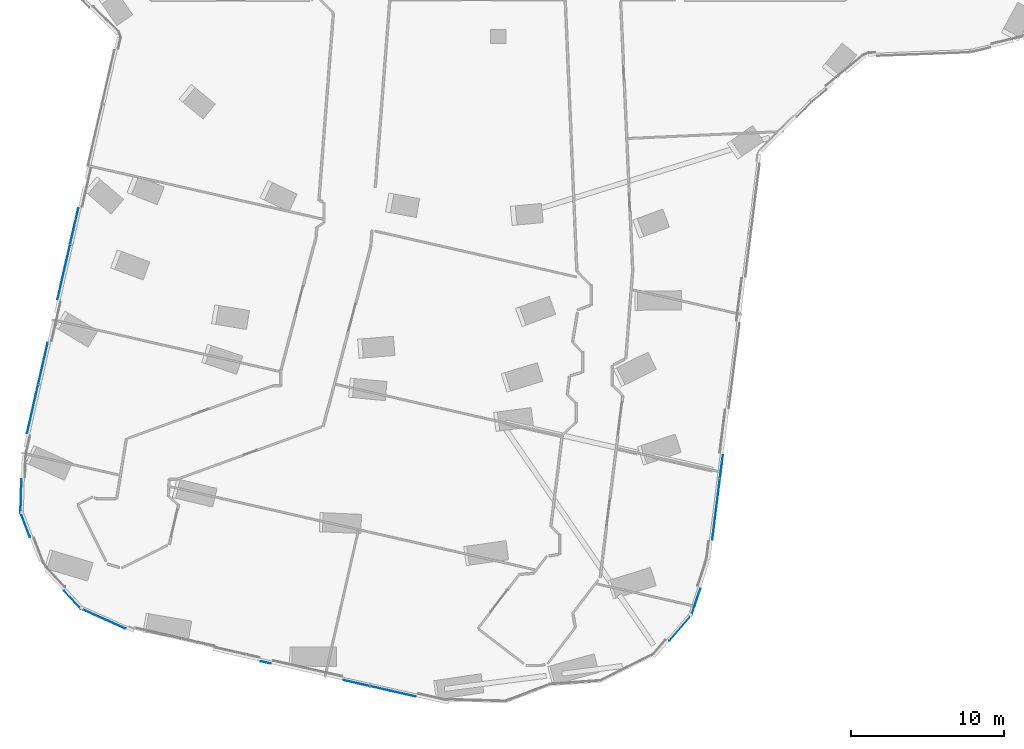
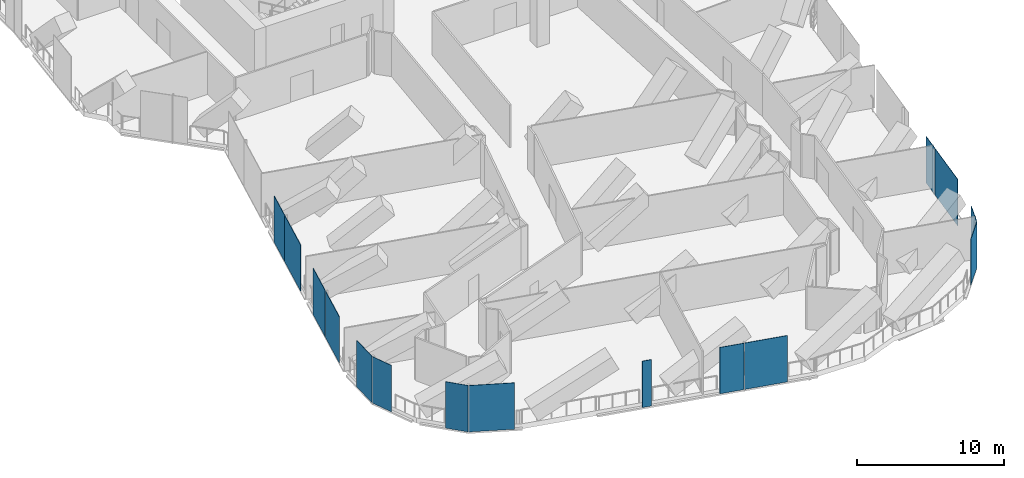
# One storey, part 14 of 29: 15 plates, 9 elements without a shape of their own.
"""IFC4 building model written with IfcOpenShell, lengths in metres."""

from ifc_helpers import new_model, si_unit, direction, frame, origin, origin_2d, place, context, subcontext, project, spatial, rectangle, extrude, material, layer, layer_set, type_object, element, aggregate, save


model = new_model("IFC4")

# Units and contexts
model_context = context("Model", 3, precision=1e-05, world=origin(), true_north=direction((0.0, 1.0)))
body_context = subcontext(model_context, "Body", "Model", "MODEL_VIEW")
ifc_project = project(units=[si_unit("LENGTHUNIT", "METRE"), si_unit("AREAUNIT", "SQUARE_METRE"), si_unit("VOLUMEUNIT", "CUBIC_METRE"), si_unit("PLANEANGLEUNIT", "RADIAN"), si_unit("MASSUNIT", "GRAM", prefix="KILO")], contexts=[model_context])

# Site, building, storey
site_placement = place(None, origin())
site = spatial("IfcSite", under=ifc_project, at=site_placement, CompositionType="ELEMENT")
building_placement = place(site_placement, origin())
building = spatial("IfcBuilding", under=site, at=building_placement, Name="Orlundy Tower", CompositionType="ELEMENT")
storey_placement = place(building_placement, frame((0.0, 0.0, 184.60009765625)))
storey = spatial("IfcBuildingStorey", under=building, at=storey_placement, Name="L48", CompositionType="ELEMENT", Elevation=184.60009765625)

# Curtain wall, plate
ifc_material_1 = material(Name="Aluminium bronze anodised", Category="aluminium")
curtain_wall_type = type_object("IfcCurtainWallType", Name="CW5 wall", PredefinedType="NOTDEFINED", material=ifc_material_1)
curtain_wall_1_placement = place(storey_placement, origin())
curtain_wall_1 = element("IfcCurtainWall", 1, at=curtain_wall_1_placement, inside=storey, type_object=curtain_wall_type, Name="CW5 run 032", PredefinedType="NOTDEFINED")
ifc_material_2 = material(Name="Tinted glass", Category="glass")
ifc_layer_1 = layer(ifc_material_2, 0.031982421875)
ifc_layer_set_1 = layer_set([ifc_layer_1], Name="CW5 glass panel 32")
plate_type_1 = type_object("IfcPlateType", Name="CW5 glass panel 32", PredefinedType="CURTAIN_PANEL", material=ifc_layer_set_1)
plate_1_placement = place(storey_placement, frame((14.554443359375, -46.03466796875, -0.2802734375), z_axis=(0.0, 0.0, 1.0), x_axis=(-0.124742379758, -0.992189164773, 0.0)))
plate_1 = element("IfcPlate", 2, at=plate_1_placement, type_object=plate_type_1, Name="CW5 panel", PredefinedType="CURTAIN_PANEL", context=body_context, shape_type="SweptSolid", body=[
    extrude(rectangle(XDim=1.517333984375, YDim=0.031982421875, at=origin_2d()), origin(), (0.0, 0.0, 1.0), 3.860107421875),
])

curtain_wall_2_placement = place(storey_placement, origin())
curtain_wall_2 = element("IfcCurtainWall", 3, at=curtain_wall_2_placement, inside=storey, type_object=curtain_wall_type, Name="CW5 run 033", PredefinedType="NOTDEFINED")
plate_2_placement = place(storey_placement, frame((12.88623046875, -54.848388671875, -0.2802734375), z_axis=(0.0, 0.0, 1.0), x_axis=(-0.315904020179, -0.948791151958, 0.0)))
plate_2 = element("IfcPlate", 4, at=plate_2_placement, type_object=plate_type_1, Name="CW5 panel", PredefinedType="CURTAIN_PANEL", context=body_context, shape_type="SweptSolid", body=[
    extrude(rectangle(XDim=1.82470703125, YDim=0.031982421875, at=origin_2d()), origin(), (0.0, 0.0, 1.0), 3.860107421875),
])
aggregate(curtain_wall_2, [plate_2])

curtain_wall_3_placement = place(storey_placement, origin())
curtain_wall_3 = element("IfcCurtainWall", 5, at=curtain_wall_3_placement, inside=storey, type_object=curtain_wall_type, Name="CW5 run 034", PredefinedType="NOTDEFINED")
plate_3_placement = place(storey_placement, frame((11.879638671875, -56.54248046875, -0.2802734375), z_axis=(0.0, 0.0, 1.0), x_axis=(-0.655002428568, -0.755626772005, 0.0)))
plate_3 = element("IfcPlate", 6, at=plate_3_placement, type_object=plate_type_1, Name="CW5 panel", PredefinedType="CURTAIN_PANEL", context=body_context, shape_type="SweptSolid", body=[
    extrude(rectangle(XDim=2.193359375, YDim=0.031982421875, at=origin_2d()), origin(), (0.0, 0.0, 1.0), 3.860107421875),
])
aggregate(curtain_wall_3, [plate_3])

# Curtain wall, plates
curtain_wall_4_placement = place(storey_placement, origin())
curtain_wall_4 = element("IfcCurtainWall", 7, at=curtain_wall_4_placement, inside=storey, type_object=curtain_wall_type, Name="CW5 run 039", PredefinedType="NOTDEFINED")
plate_4_placement = place(storey_placement, frame((-6.852294921875, -60.677734375, -0.2802734375), z_axis=(0.0, 0.0, 1.0), x_axis=(-0.975026093537, 0.222090335048, 0.0)))
plate_4 = element("IfcPlate", 8, at=plate_4_placement, type_object=plate_type_1, Name="CW5 panel", PredefinedType="CURTAIN_PANEL", context=body_context, shape_type="SweptSolid", body=[
    extrude(rectangle(XDim=3.04248046875, YDim=0.031982421875, at=origin_2d()), origin(), (0.0, 0.0, 1.0), 3.860107421875),
])
plate_5_placement = place(storey_placement, frame((-9.2236328125, -60.1376953125, -0.2802734375), z_axis=(0.0, 0.0, 1.0), x_axis=(-0.975026093537, 0.222090335048, 0.0)))
plate_5 = element("IfcPlate", 9, at=plate_5_placement, type_object=plate_type_1, Name="CW5 panel", PredefinedType="CURTAIN_PANEL", context=body_context, shape_type="SweptSolid", body=[
    extrude(rectangle(XDim=1.721923828125, YDim=0.031982421875, at=origin_2d()), origin(), (0.0, 0.0, 1.0), 3.860107421875),
])

# Curtain wall, plate
curtain_wall_5_placement = place(storey_placement, origin())
curtain_wall_5 = element("IfcCurtainWall", 10, at=curtain_wall_5_placement, inside=storey, type_object=curtain_wall_type, Name="CW5 run 040", PredefinedType="NOTDEFINED")
plate_6_placement = place(storey_placement, frame((-25.72412109375, -55.94287109375, -0.2802734375), z_axis=(0.0, 0.0, 1.0), x_axis=(-0.912908205602, 0.408164927627, 0.0)))
plate_6 = element("IfcPlate", 11, at=plate_6_placement, type_object=plate_type_1, Name="CW5 panel", PredefinedType="CURTAIN_PANEL", context=body_context, shape_type="SweptSolid", body=[
    extrude(rectangle(XDim=3.164306640625, YDim=0.031982421875, at=origin_2d()), origin(), (0.0, 0.0, 1.0), 3.860107421875),
])
aggregate(curtain_wall_5, [plate_6])

curtain_wall_6_placement = place(storey_placement, origin())
curtain_wall_6 = element("IfcCurtainWall", 12, at=curtain_wall_6_placement, inside=storey, type_object=curtain_wall_type, Name="CW5 run 042", PredefinedType="NOTDEFINED")
plate_7_placement = place(storey_placement, frame((-30.810546875, -49.81884765625, -0.2802734375), z_axis=(0.0, 0.0, 1.0), x_axis=(-0.357206695331, 0.934025361974, 0.0)))
plate_7 = element("IfcPlate", 13, at=plate_7_placement, type_object=plate_type_1, Name="CW5 panel", PredefinedType="CURTAIN_PANEL", context=body_context, shape_type="SweptSolid", body=[
    extrude(rectangle(XDim=1.709716796875, YDim=0.031982421875, at=origin_2d()), origin(), (0.0, 0.0, 1.0), 3.860107421875),
])
aggregate(curtain_wall_6, [plate_7])

curtain_wall_7_placement = place(storey_placement, origin())
curtain_wall_7 = element("IfcCurtainWall", 14, at=curtain_wall_7_placement, inside=storey, type_object=curtain_wall_type, Name="CW5 run 043", PredefinedType="NOTDEFINED")
plate_8_placement = place(storey_placement, frame((-31.085693359375, -47.935791015625, -0.2802734375), z_axis=(0.0, 0.0, 1.0), x_axis=(0.027789533343, 0.999613796342, 0.0)))
plate_8 = element("IfcPlate", 15, at=plate_8_placement, type_object=plate_type_1, Name="CW5 panel", PredefinedType="CURTAIN_PANEL", context=body_context, shape_type="SweptSolid", body=[
    extrude(rectangle(XDim=2.169921875, YDim=0.031982421875, at=origin_2d()), origin(), (0.0, 0.0, 1.0), 3.860107421875),
])
aggregate(curtain_wall_7, [plate_8])

# Curtain wall, plates
curtain_wall_8_placement = place(storey_placement, origin())
curtain_wall_8 = element("IfcCurtainWall", 16, at=curtain_wall_8_placement, inside=storey, type_object=curtain_wall_type, Name="CW5 run 044", PredefinedType="NOTDEFINED")
plate_9_placement = place(storey_placement, frame((-29.65380859375, -39.301025390625, -0.2802734375), z_axis=(0.0, 0.0, 1.0), x_axis=(0.222088577386, 0.975026493894, 0.0)))
plate_9 = element("IfcPlate", 17, at=plate_9_placement, type_object=plate_type_1, Name="CW5 panel", PredefinedType="CURTAIN_PANEL", context=body_context, shape_type="SweptSolid", body=[
    extrude(rectangle(XDim=2.77001953125, YDim=0.031982421875, at=origin_2d()), origin(), (0.0, 0.0, 1.0), 3.860107421875),
])
plate_10_placement = place(storey_placement, frame((-28.296875, -33.343017578125, -0.2802734375), z_axis=(0.0, 0.0, 1.0), x_axis=(0.222088577386, 0.975026493894, 0.0)))
plate_10 = element("IfcPlate", 18, at=plate_10_placement, type_object=plate_type_1, Name="CW5 panel", PredefinedType="CURTAIN_PANEL", context=body_context, shape_type="SweptSolid", body=[
    extrude(rectangle(XDim=3.64599609375, YDim=0.031982421875, at=origin_2d()), origin(), (0.0, 0.0, 1.0), 3.860107421875),
])

# Plate
ifc_material_3 = material(Name="Tinted glass", Category="glass")
ifc_layer_2 = layer(ifc_material_3, 0.031982421875)
ifc_layer_set_2 = layer_set([ifc_layer_2], Name="CW5 vent panel 32")
plate_type_2 = type_object("IfcPlateType", Name="CW5 vent panel 32", PredefinedType="CURTAIN_PANEL", material=ifc_layer_set_2)
plate_11_placement = place(storey_placement, frame((14.205810546875, -48.808349609375, -0.2802734375), z_axis=(0.0, 0.0, 1.0), x_axis=(-0.124742379758, -0.992189164773, 0.0)))
plate_11 = element("IfcPlate", 19, at=plate_11_placement, type_object=plate_type_2, Name="CW5 panel", PredefinedType="CURTAIN_PANEL", context=body_context, shape_type="SweptSolid", body=[
    extrude(rectangle(XDim=3.973876953125, YDim=0.031982421875, at=origin_2d()), origin(), (0.0, 0.0, 1.0), 3.860107421875),
])

aggregate(curtain_wall_1, [plate_1, plate_11])

plate_12_placement = place(storey_placement, frame((-15.13916015625, -58.790283203125, -0.2802734375), z_axis=(0.0, 0.0, 1.0), x_axis=(-0.975026093537, 0.222090335048, 0.0)))
plate_12 = element("IfcPlate", 20, at=plate_12_placement, type_object=plate_type_2, Name="CW5 panel", PredefinedType="CURTAIN_PANEL", context=body_context, shape_type="SweptSolid", body=[
    extrude(rectangle(XDim=0.646240234375, YDim=0.031982421875, at=origin_2d()), origin(), (0.0, 0.0, 1.0), 3.860107421875),
])

aggregate(curtain_wall_4, [plate_4, plate_5, plate_12])

# Curtain wall, plate
curtain_wall_9_placement = place(storey_placement, origin())
curtain_wall_9 = element("IfcCurtainWall", 21, at=curtain_wall_9_placement, inside=storey, type_object=curtain_wall_type, Name="CW5 run 041", PredefinedType="NOTDEFINED")
plate_13_placement = place(storey_placement, frame((-27.725830078125, -54.707763671875, -0.2802734375), z_axis=(0.0, 0.0, 1.0), x_axis=(-0.68713828172, 0.726526655942, 0.0)))
plate_13 = element("IfcPlate", 22, at=plate_13_placement, type_object=plate_type_2, Name="CW5 panel", PredefinedType="CURTAIN_PANEL", context=body_context, shape_type="SweptSolid", body=[
    extrude(rectangle(XDim=1.621826171875, YDim=0.031982421875, at=origin_2d()), origin(), (0.0, 0.0, 1.0), 3.860107421875),
])
aggregate(curtain_wall_9, [plate_13])

# Plate
plate_14_placement = place(storey_placement, frame((-30.330810546875, -42.273193359375, -0.2802734375), z_axis=(0.0, 0.0, 1.0), x_axis=(0.222088577386, 0.975026493894, 0.0)))
plate_14 = element("IfcPlate", 23, at=plate_14_placement, type_object=plate_type_2, Name="CW5 panel", PredefinedType="CURTAIN_PANEL", context=body_context, shape_type="SweptSolid", body=[
    extrude(rectangle(XDim=3.226318359375, YDim=0.031982421875, at=origin_2d()), origin(), (0.0, 0.0, 1.0), 3.860107421875),
])

plate_15_placement = place(storey_placement, frame((-27.61572265625, -30.3525390625, -0.2802734375), z_axis=(0.0, 0.0, 1.0), x_axis=(0.222088577386, 0.975026493894, 0.0)))
plate_15 = element("IfcPlate", 24, at=plate_15_placement, type_object=plate_type_2, Name="CW5 panel", PredefinedType="CURTAIN_PANEL", context=body_context, shape_type="SweptSolid", body=[
    extrude(rectangle(XDim=2.387939453125, YDim=0.031982421875, at=origin_2d()), origin(), (0.0, 0.0, 1.0), 3.860107421875),
])

aggregate(curtain_wall_8, [plate_14, plate_9, plate_10, plate_15])

save(model, "model.ifc")
